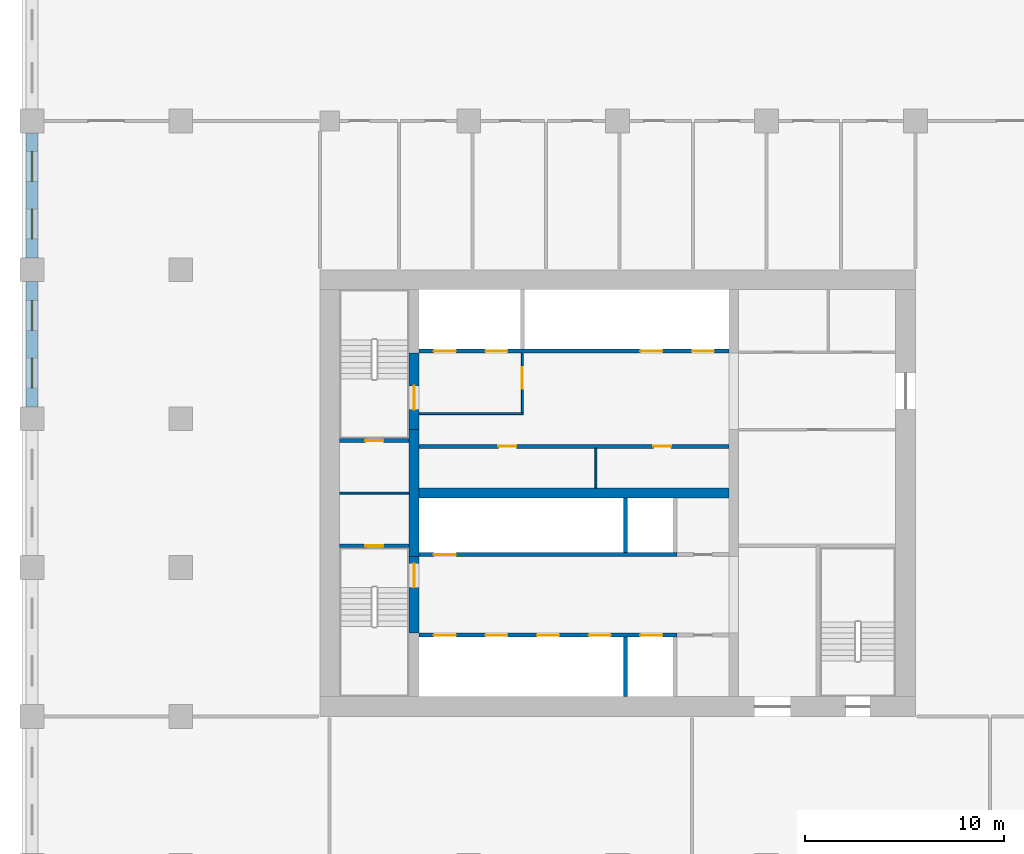
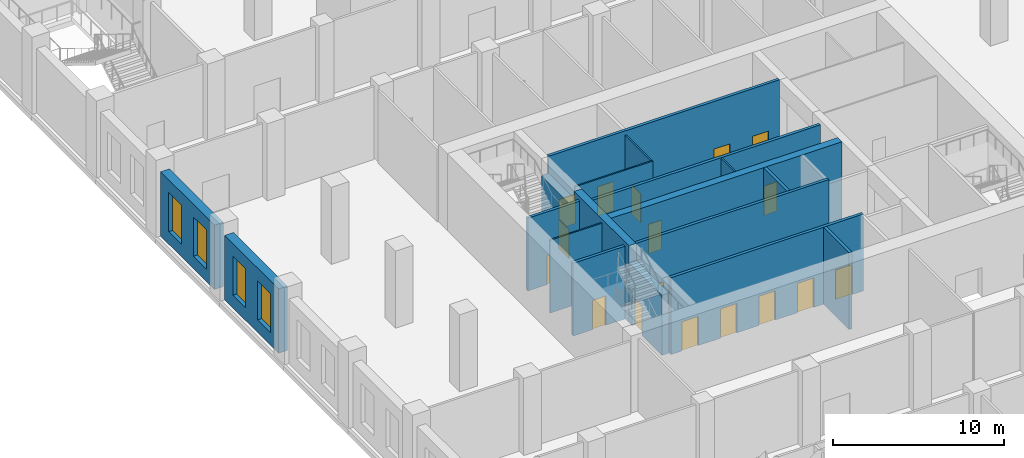
# One storey, part 8 of 35: 18 walls, 17 doors, 4 windows, 21 openings.
"""IFC4 building model written with IfcOpenShell, lengths in metres."""

import ifcopenshell
import ifcopenshell.guid

model = None  # the IFC model being written
_history = None  # IfcOwnerHistory: only IFC2X3 demands one
_inside = {}  # id of a spatial element -> (the spatial element, [elements in it])
_under = {}  # id of a project, library or spatial element -> (it, [spatial elements below it])
_declared = {}  # id of a project -> (the project, [libraries it declares])
_typed = {}  # id of a type object -> (the type object, [elements of that type])
_made_of = {}  # id of a material, layer set ... -> (it, [elements and type objects made of it])


def new_model(schema):
    """Start an empty IFC model of exactly this schema.

    Asked for "IFC4X3", IfcOpenShell would pick the latest addendum, in which some entities
    have other attributes; the version numbers below select the first issue.
    IFC2X3 requires an IfcOwnerHistory on every rooted entity: one is made here for all.
    """
    global model, _history
    if schema == "IFC4X3":
        model = ifcopenshell.file(schema_version=(4, 3, 0, 0))
    else:
        model = ifcopenshell.file(schema=schema)
    _inside.clear()
    _under.clear()
    _declared.clear()
    _typed.clear()
    _made_of.clear()
    _history = None
    if model.schema == "IFC2X3":
        org = make("IfcOrganization", Name="unknown")
        user = make(
            "IfcPersonAndOrganization",
            ThePerson=make("IfcPerson", FamilyName="unknown"),
            TheOrganization=org,
        )
        app = make(
            "IfcApplication",
            ApplicationDeveloper=org,
            Version="unknown",
            ApplicationFullName="unknown",
            ApplicationIdentifier="unknown",
        )
        _history = make(
            "IfcOwnerHistory",
            OwningUser=user,
            OwningApplication=app,
            ChangeAction="ADDED",
            CreationDate=0,
        )
    return model


def make(cls, **values):
    """One entity of the class cls with the attributes given. An attribute that is None is left unset."""
    return model.create_entity(
        cls, **{name: value for name, value in values.items() if value is not None}
    )


def rooted(cls, **values):
    """An entity with a GlobalId (a new one), such as an element, a storey or a relation."""
    return make(cls, GlobalId=ifcopenshell.guid.new(), OwnerHistory=_history, **values)


def si_unit(unit_type, name, prefix=None):
    """IfcSIUnit, for example si_unit("LENGTHUNIT", "METRE", prefix="MILLI")."""
    return make("IfcSIUnit", UnitType=unit_type, Prefix=prefix, Name=name)


def assignment(units):
    """IfcUnitAssignment: the units of a project."""
    return None if units is None else make("IfcUnitAssignment", Units=units)


def point(xyz):
    """IfcCartesianPoint."""
    return None if xyz is None else make("IfcCartesianPoint", Coordinates=xyz)


def direction(xyz):
    """IfcDirection."""
    return None if xyz is None else make("IfcDirection", DirectionRatios=xyz)


def frame(location, z_axis=None, x_axis=None):
    """IfcAxis2Placement3D, a coordinate frame: its origin and axes. An axis left out is left unset."""
    return make(
        "IfcAxis2Placement3D",
        Location=point(location),
        Axis=direction(z_axis),
        RefDirection=direction(x_axis),
    )


def frame_2d(location, x_axis=None):
    """IfcAxis2Placement2D, a coordinate frame in the plane: its origin and x axis."""
    return make(
        "IfcAxis2Placement2D", Location=point(location), RefDirection=direction(x_axis)
    )


def origin():
    """The frame at (0, 0, 0) with its axes left unset."""
    return frame((0.0, 0.0, 0.0))


def place(relative_to, where):
    """IfcLocalPlacement: puts the frame where relative to a parent placement (None: the world)."""
    return make(
        "IfcLocalPlacement", PlacementRelTo=relative_to, RelativePlacement=where
    )


def context(
    kind, dimensions, precision=None, world=None, true_north=None, identifier=None
):
    """IfcGeometricRepresentationContext, for example the 3D "Model" context."""
    return make(
        "IfcGeometricRepresentationContext",
        ContextIdentifier=identifier,
        ContextType=kind,
        CoordinateSpaceDimension=dimensions,
        Precision=precision,
        WorldCoordinateSystem=world,
        TrueNorth=true_north,
    )


def subcontext(parent, identifier, kind, view, scale=None):
    """IfcGeometricRepresentationSubContext, for example "Body" below "Model"."""
    return make(
        "IfcGeometricRepresentationSubContext",
        ContextIdentifier=identifier,
        ContextType=kind,
        ParentContext=parent,
        TargetScale=scale,
        TargetView=view,
    )


def project(units=None, contexts=None):
    """IfcProject with its units and contexts."""
    return rooted(
        "IfcProject",
        Name="project",
        RepresentationContexts=contexts,
        UnitsInContext=assignment(units),
    )


def spatial(cls, under=None, at=None, **own):
    """A site, building, storey or space (cls), placed at a placement, below another one or the project."""
    s = rooted(cls, ObjectPlacement=at, **own)
    if under is not None:
        _under.setdefault(under.id(), (under, []))[1].append(s)
    return s


def profile(cls, at=None, kind="AREA", **sizes):
    """A parametric profile (cls). Its sizes go by their IFC names, for example OverallWidth=200.0."""
    return make(cls, ProfileType=kind, Position=at, **sizes)


def rectangle(**sizes):
    """IfcRectangleProfileDef."""
    return profile("IfcRectangleProfileDef", **sizes)


def extrude(swept, where, along, depth):
    """IfcExtrudedAreaSolid: the profile swept, set in the frame where, extruded along a direction by depth."""
    return make(
        "IfcExtrudedAreaSolid",
        SweptArea=swept,
        Position=where,
        ExtrudedDirection=direction(along),
        Depth=depth,
    )


def shape(context_of_items, identifier, shape_type, items):
    """IfcShapeRepresentation: the items that make up one representation, for example the "Body"."""
    return make(
        "IfcShapeRepresentation",
        ContextOfItems=context_of_items,
        RepresentationIdentifier=identifier,
        RepresentationType=shape_type,
        Items=items,
    )


def material(Name=None, Category=None):
    """IfcMaterial."""
    return make("IfcMaterial", Name=Name, Category=Category)


def layer(
    of_material, thickness, ventilated=None, Name=None, Category=None, Priority=None
):
    """IfcMaterialLayer: one layer of a wall or slab, of a material (None: an air gap)."""
    return make(
        "IfcMaterialLayer",
        Material=of_material,
        LayerThickness=thickness,
        IsVentilated=ventilated,
        Name=Name,
        Category=Category,
        Priority=Priority,
    )


def layer_set(layers, Name=None):
    """IfcMaterialLayerSet."""
    return make("IfcMaterialLayerSet", MaterialLayers=layers, LayerSetName=Name)


def made_of(thing, what):
    """Note that an element or type object is made of a material, layer set ...; save() writes the relation."""
    if what is not None:
        _made_of.setdefault(what.id(), (what, []))[1].append(thing)
    return thing


def type_object(cls, material=None, **own):
    """A type object (cls), such as IfcWallType, which elements share."""
    return made_of(rooted(cls, **own), material)


def element(
    cls,
    number,
    at=None,
    inside=None,
    cuts=None,
    type_object=None,
    material=None,
    context=None,
    identifier="Body",
    shape_type=None,
    held_by="IfcProductDefinitionShape",
    body=None,
    shapes=None,
    **own,
):
    """One element of the class cls, such as IfcWall. Its Tag is "e" and its number.

    at: its placement. inside: the storey or other place that contains it. cuts: it is an
    opening in that element (IfcRelVoidsElement). A single representation is given by context,
    identifier, shape_type and body (its items); several are given by shapes. held_by: the class
    of the entity that holds the representations. save() writes the other relations.
    """
    e = rooted(cls, Tag="e%d" % number, ObjectPlacement=at, **own)
    if body is not None:
        shapes = [shape(context, identifier, shape_type, body)]
    if shapes is not None:
        e.Representation = make(held_by, Representations=shapes)
    if inside is not None:
        _inside.setdefault(inside.id(), (inside, []))[1].append(e)
    if cuts is not None:
        rooted(
            "IfcRelVoidsElement", RelatingBuildingElement=cuts, RelatedOpeningElement=e
        )
    if type_object is not None:
        _typed.setdefault(type_object.id(), (type_object, []))[1].append(e)
    return made_of(e, material)


def fill(opening, filler):
    """IfcRelFillsElement: the door or window that sits in an opening."""
    return rooted(
        "IfcRelFillsElement",
        RelatingOpeningElement=opening,
        RelatedBuildingElement=filler,
    )


def aggregate(whole, parts):
    """IfcRelAggregates: a whole, such as a stair, and the parts it consists of."""
    return rooted("IfcRelAggregates", RelatingObject=whole, RelatedObjects=parts)


def save(model, path):
    """Write the relations noted so far, then the file.

    IfcRelAggregates (storeys below a building ...), IfcRelContainedInSpatialStructure (elements
    in a storey), IfcRelDefinesByType, IfcRelAssociatesMaterial and IfcRelDeclares: one each for
    every whole, place, type object, material and project.
    """
    for whole, parts in _under.values():
        aggregate(whole, parts)
    for where, things in _inside.values():
        rooted(
            "IfcRelContainedInSpatialStructure",
            RelatedElements=things,
            RelatingStructure=where,
        )
    for kind, things in _typed.values():
        rooted("IfcRelDefinesByType", RelatedObjects=things, RelatingType=kind)
    for what, things in _made_of.values():
        rooted("IfcRelAssociatesMaterial", RelatedObjects=things, RelatingMaterial=what)
    for by, libraries in _declared.values():
        rooted("IfcRelDeclares", RelatingContext=by, RelatedDefinitions=libraries)
    model.write(path)


model = new_model("IFC4")

# Units and contexts
model_context = context("Model", 3, precision=1e-05, world=origin(), true_north=direction((0.0, 1.0)))
body_context = subcontext(model_context, "Body", "Model", "MODEL_VIEW")
ifc_project = project(units=[si_unit("LENGTHUNIT", "METRE"), si_unit("AREAUNIT", "SQUARE_METRE"), si_unit("VOLUMEUNIT", "CUBIC_METRE"), si_unit("PLANEANGLEUNIT", "RADIAN"), si_unit("MASSUNIT", "GRAM", prefix="KILO")], contexts=[model_context])

# Site, building, storey
site_placement = place(None, origin())
site = spatial("IfcSite", under=ifc_project, at=site_placement, CompositionType="ELEMENT")
building_placement = place(site_placement, origin())
building = spatial("IfcBuilding", under=site, at=building_placement, Name="Tamorin Gate", CompositionType="ELEMENT")
storey_placement = place(building_placement, frame((0.0, 0.0, 8.0)))
storey = spatial("IfcBuildingStorey", under=building, at=storey_placement, Name="L01", CompositionType="ELEMENT", Elevation=8.0)

# Wall, openings, doors
ifc_material_1 = material(Name="Concrete C32/40", Category="concrete")
ifc_layer_1 = layer(ifc_material_1, 0.199951171875)
ifc_layer_set_1 = layer_set([ifc_layer_1], Name="Lift lobby face wall 200 EI 120")
wall_type_1 = type_object("IfcWallType", Name="Lift lobby face wall 200 EI 120", PredefinedType="SOLIDWALL", material=ifc_layer_set_1)
wall_1_placement = place(storey_placement, frame((35.0, 64.10009765625, 0.0), z_axis=(0.0, 0.0, 1.0), x_axis=(1.0, 0.0, 0.0)))
wall_1 = element("IfcWall", 1, at=wall_1_placement, inside=storey, type_object=wall_type_1, Name="Lift lobby face wall", PredefinedType="SOLIDWALL", context=body_context, shape_type="SweptSolid", body=[
    extrude(rectangle(XDim=13.0, YDim=0.199951171875, at=frame_2d((6.5, 0.0))), origin(), (0.0, 0.0, 1.0), 5.5),
])
opening_1_placement = place(wall_1_placement, frame((0.75, 0.0, 0.0)))
opening_1 = element("IfcOpeningElement", 2, at=opening_1_placement, cuts=wall_1, Name="Opening LD1", PredefinedType="OPENING", context=body_context, shape_type="SweptSolid", body=[
    extrude(rectangle(XDim=1.10009765625, YDim=2.10009765625, at=frame_2d((0.550048828125, 1.050048828125))), frame((0.0, 0.10986328125, 0.0), z_axis=(0.0, -1.0, 0.0), x_axis=(1.0, 0.0, 0.0)), (0.0, 0.0, 1.0), 0.219970703125),
])
opening_2_placement = place(wall_1_placement, frame((3.35009765625, 0.0, 0.0)))
opening_2 = element("IfcOpeningElement", 3, at=opening_2_placement, cuts=wall_1, Name="Opening LD2", PredefinedType="OPENING", context=body_context, shape_type="SweptSolid", body=[
    extrude(rectangle(XDim=1.10009765625, YDim=2.10009765625, at=frame_2d((0.550048828125, 1.050048828125))), frame((0.0, 0.10986328125, 0.0), z_axis=(0.0, -1.0, 0.0), x_axis=(1.0, 0.0, 0.0)), (0.0, 0.0, 1.0), 0.219970703125),
])
opening_3_placement = place(wall_1_placement, frame((5.949951171875, 0.0, 0.0)))
opening_3 = element("IfcOpeningElement", 4, at=opening_3_placement, cuts=wall_1, Name="Opening LD3", PredefinedType="OPENING", context=body_context, shape_type="SweptSolid", body=[
    extrude(rectangle(XDim=1.10009765625, YDim=2.10009765625, at=frame_2d((0.550048828125, 1.050048828125))), frame((0.0, 0.10986328125, 0.0), z_axis=(0.0, -1.0, 0.0), x_axis=(1.0, 0.0, 0.0)), (0.0, 0.0, 1.0), 0.219970703125),
])
opening_4_placement = place(wall_1_placement, frame((8.550048828125, 0.0, 0.0)))
opening_4 = element("IfcOpeningElement", 5, at=opening_4_placement, cuts=wall_1, Name="Opening LD4", PredefinedType="OPENING", context=body_context, shape_type="SweptSolid", body=[
    extrude(rectangle(XDim=1.10009765625, YDim=2.10009765625, at=frame_2d((0.550048828125, 1.050048828125))), frame((0.0, 0.10986328125, 0.0), z_axis=(0.0, -1.0, 0.0), x_axis=(1.0, 0.0, 0.0)), (0.0, 0.0, 1.0), 0.219970703125),
])
opening_5_placement = place(wall_1_placement, frame((11.14990234375, 0.0, 0.0)))
opening_5 = element("IfcOpeningElement", 6, at=opening_5_placement, cuts=wall_1, Name="Opening LD5", PredefinedType="OPENING", context=body_context, shape_type="SweptSolid", body=[
    extrude(rectangle(XDim=1.10009765625, YDim=2.10009765625, at=frame_2d((0.550048828125, 1.050048828125))), frame((0.0, 0.10986328125, 0.0), z_axis=(0.0, -1.0, 0.0), x_axis=(1.0, 0.0, 0.0)), (0.0, 0.0, 1.0), 0.219970703125),
])
ifc_material_2 = material(Name="Stainless steel sliding door", Category="steel")
door_type_1 = type_object("IfcDoorType", Name="Lift landing door 1100 x 2100 E 90", OperationType="DOUBLE_DOOR_SLIDING", PredefinedType="DOOR", material=ifc_material_2)
door_1_placement = place(opening_1_placement, origin())
door_1 = element("IfcDoor", 7, at=door_1_placement, inside=storey, type_object=door_type_1, Name="LR1 landing door", OperationType="DOUBLE_DOOR_SLIDING", OverallHeight=2.10009765625, OverallWidth=1.10009765625, PredefinedType="DOOR", context=body_context, shape_type="SweptSolid", body=[
    extrude(rectangle(XDim=1.10009765625, YDim=2.10009765625, at=frame_2d((0.550048828125, 1.050048828125))), frame((0.0, 0.02490234375, 0.0), z_axis=(0.0, -1.0, 0.0), x_axis=(1.0, 0.0, 0.0)), (0.0, 0.0, 1.0), 0.050048828125),
])
fill(opening_1, door_1)
door_2_placement = place(opening_2_placement, origin())
door_2 = element("IfcDoor", 8, at=door_2_placement, inside=storey, type_object=door_type_1, Name="LR2 landing door", OperationType="DOUBLE_DOOR_SLIDING", OverallHeight=2.10009765625, OverallWidth=1.10009765625, PredefinedType="DOOR", context=body_context, shape_type="SweptSolid", body=[
    extrude(rectangle(XDim=1.10009765625, YDim=2.10009765625, at=frame_2d((0.550048828125, 1.050048828125))), frame((0.0, 0.02490234375, 0.0), z_axis=(0.0, -1.0, 0.0), x_axis=(1.0, 0.0, 0.0)), (0.0, 0.0, 1.0), 0.050048828125),
])
fill(opening_2, door_2)
door_3_placement = place(opening_3_placement, origin())
door_3 = element("IfcDoor", 9, at=door_3_placement, inside=storey, type_object=door_type_1, Name="LR3 landing door", OperationType="DOUBLE_DOOR_SLIDING", OverallHeight=2.10009765625, OverallWidth=1.10009765625, PredefinedType="DOOR", context=body_context, shape_type="SweptSolid", body=[
    extrude(rectangle(XDim=1.10009765625, YDim=2.10009765625, at=frame_2d((0.550048828125, 1.050048828125))), frame((0.0, 0.02490234375, 0.0), z_axis=(0.0, -1.0, 0.0), x_axis=(1.0, 0.0, 0.0)), (0.0, 0.0, 1.0), 0.050048828125),
])
fill(opening_3, door_3)
door_4_placement = place(opening_4_placement, origin())
door_4 = element("IfcDoor", 10, at=door_4_placement, inside=storey, type_object=door_type_1, Name="LR4 landing door", OperationType="DOUBLE_DOOR_SLIDING", OverallHeight=2.10009765625, OverallWidth=1.10009765625, PredefinedType="DOOR", context=body_context, shape_type="SweptSolid", body=[
    extrude(rectangle(XDim=1.10009765625, YDim=2.10009765625, at=frame_2d((0.550048828125, 1.050048828125))), frame((0.0, 0.02490234375, 0.0), z_axis=(0.0, -1.0, 0.0), x_axis=(1.0, 0.0, 0.0)), (0.0, 0.0, 1.0), 0.050048828125),
])
fill(opening_4, door_4)
door_5_placement = place(opening_5_placement, origin())
door_5 = element("IfcDoor", 11, at=door_5_placement, inside=storey, type_object=door_type_1, Name="LR5 landing door", OperationType="DOUBLE_DOOR_SLIDING", OverallHeight=2.10009765625, OverallWidth=1.10009765625, PredefinedType="DOOR", context=body_context, shape_type="SweptSolid", body=[
    extrude(rectangle(XDim=1.10009765625, YDim=2.10009765625, at=frame_2d((0.550048828125, 1.050048828125))), frame((0.0, 0.02490234375, 0.0), z_axis=(0.0, -1.0, 0.0), x_axis=(1.0, 0.0, 0.0)), (0.0, 0.0, 1.0), 0.050048828125),
])
fill(opening_5, door_5)

# Wall, opening, door
wall_2_placement = place(storey_placement, frame((35.0, 68.14990234375, 0.0), z_axis=(0.0, 0.0, 1.0), x_axis=(1.0, 0.0, 0.0)))
wall_2 = element("IfcWall", 12, at=wall_2_placement, inside=storey, type_object=wall_type_1, Name="Lift lobby face wall", PredefinedType="SOLIDWALL", context=body_context, shape_type="SweptSolid", body=[
    extrude(rectangle(XDim=13.0, YDim=0.199951171875, at=frame_2d((6.5, 0.0))), origin(), (0.0, 0.0, 1.0), 5.5),
])
opening_6_placement = place(wall_2_placement, frame((0.75, 0.0, 0.0)))
opening_6 = element("IfcOpeningElement", 13, at=opening_6_placement, cuts=wall_2, Name="Opening LD6", PredefinedType="OPENING", context=body_context, shape_type="SweptSolid", body=[
    extrude(rectangle(XDim=1.10009765625, YDim=2.10009765625, at=frame_2d((0.550048828125, 1.050048828125))), frame((0.0, 0.10986328125, 0.0), z_axis=(0.0, -1.0, 0.0), x_axis=(1.0, 0.0, 0.0)), (0.0, 0.0, 1.0), 0.219970703125),
])
door_6_placement = place(opening_6_placement, origin())
door_6 = element("IfcDoor", 14, at=door_6_placement, inside=storey, type_object=door_type_1, Name="LR6 landing door", OperationType="DOUBLE_DOOR_SLIDING", OverallHeight=2.10009765625, OverallWidth=1.10009765625, PredefinedType="DOOR", context=body_context, shape_type="SweptSolid", body=[
    extrude(rectangle(XDim=1.10009765625, YDim=2.10009765625, at=frame_2d((0.550048828125, 1.050048828125))), frame((0.0, 0.02490234375, 0.0), z_axis=(0.0, -1.0, 0.0), x_axis=(1.0, 0.0, 0.0)), (0.0, 0.0, 1.0), 0.050048828125),
])
fill(opening_6, door_6)

# Wall, openings, doors
wall_3_placement = place(storey_placement, frame((35.0, 78.39990234375, 0.0), z_axis=(0.0, 0.0, 1.0), x_axis=(1.0, 0.0, 0.0)))
wall_3 = element("IfcWall", 15, at=wall_3_placement, inside=storey, type_object=wall_type_1, Name="Lift lobby face wall", PredefinedType="SOLIDWALL", context=body_context, shape_type="SweptSolid", body=[
    extrude(rectangle(XDim=15.60009765625, YDim=0.199951171875, at=frame_2d((7.800048828125, 0.0))), origin(), (0.0, 0.0, 1.0), 5.5),
])
opening_7_placement = place(wall_3_placement, frame((0.75, 0.0, 0.0)))
opening_7 = element("IfcOpeningElement", 16, at=opening_7_placement, cuts=wall_3, Name="Opening LD17", PredefinedType="OPENING", context=body_context, shape_type="SweptSolid", body=[
    extrude(rectangle(XDim=1.10009765625, YDim=2.10009765625, at=frame_2d((0.550048828125, 1.050048828125))), frame((0.0, 0.10986328125, 0.0), z_axis=(0.0, -1.0, 0.0), x_axis=(1.0, 0.0, 0.0)), (0.0, 0.0, 1.0), 0.219970703125),
])
opening_8_placement = place(wall_3_placement, frame((3.35009765625, 0.0, 0.0)))
opening_8 = element("IfcOpeningElement", 17, at=opening_8_placement, cuts=wall_3, Name="Opening LD18", PredefinedType="OPENING", context=body_context, shape_type="SweptSolid", body=[
    extrude(rectangle(XDim=1.10009765625, YDim=2.10009765625, at=frame_2d((0.550048828125, 1.050048828125))), frame((0.0, 0.10986328125, 0.0), z_axis=(0.0, -1.0, 0.0), x_axis=(1.0, 0.0, 0.0)), (0.0, 0.0, 1.0), 0.219970703125),
])
opening_9_placement = place(wall_3_placement, frame((11.14990234375, 0.0, 0.0)))
opening_9 = element("IfcOpeningElement", 18, at=opening_9_placement, cuts=wall_3, Name="Opening LD21", PredefinedType="OPENING", context=body_context, shape_type="SweptSolid", body=[
    extrude(rectangle(XDim=1.10009765625, YDim=2.10009765625, at=frame_2d((0.550048828125, 1.050048828125))), frame((0.0, 0.10986328125, 0.0), z_axis=(0.0, -1.0, 0.0), x_axis=(1.0, 0.0, 0.0)), (0.0, 0.0, 1.0), 0.219970703125),
])
opening_10_placement = place(wall_3_placement, frame((13.75, 0.0, 0.0)))
opening_10 = element("IfcOpeningElement", 19, at=opening_10_placement, cuts=wall_3, Name="Opening LD22", PredefinedType="OPENING", context=body_context, shape_type="SweptSolid", body=[
    extrude(rectangle(XDim=1.10009765625, YDim=2.10009765625, at=frame_2d((0.550048828125, 1.050048828125))), frame((0.0, 0.10986328125, 0.0), z_axis=(0.0, -1.0, 0.0), x_axis=(1.0, 0.0, 0.0)), (0.0, 0.0, 1.0), 0.219970703125),
])
door_7_placement = place(opening_7_placement, origin())
door_7 = element("IfcDoor", 20, at=door_7_placement, inside=storey, type_object=door_type_1, Name="FF1 landing door", OperationType="DOUBLE_DOOR_SLIDING", OverallHeight=2.10009765625, OverallWidth=1.10009765625, PredefinedType="DOOR", context=body_context, shape_type="SweptSolid", body=[
    extrude(rectangle(XDim=1.10009765625, YDim=2.10009765625, at=frame_2d((0.550048828125, 1.050048828125))), frame((0.0, 0.02490234375, 0.0), z_axis=(0.0, -1.0, 0.0), x_axis=(1.0, 0.0, 0.0)), (0.0, 0.0, 1.0), 0.050048828125),
])
fill(opening_7, door_7)
door_8_placement = place(opening_8_placement, origin())
door_8 = element("IfcDoor", 21, at=door_8_placement, inside=storey, type_object=door_type_1, Name="FF2 landing door", OperationType="DOUBLE_DOOR_SLIDING", OverallHeight=2.10009765625, OverallWidth=1.10009765625, PredefinedType="DOOR", context=body_context, shape_type="SweptSolid", body=[
    extrude(rectangle(XDim=1.10009765625, YDim=2.10009765625, at=frame_2d((0.550048828125, 1.050048828125))), frame((0.0, 0.02490234375, 0.0), z_axis=(0.0, -1.0, 0.0), x_axis=(1.0, 0.0, 0.0)), (0.0, 0.0, 1.0), 0.050048828125),
])
fill(opening_8, door_8)
door_9_placement = place(opening_9_placement, origin())
door_9 = element("IfcDoor", 22, at=door_9_placement, inside=storey, type_object=door_type_1, Name="SV1 landing door", OperationType="DOUBLE_DOOR_SLIDING", OverallHeight=2.10009765625, OverallWidth=1.10009765625, PredefinedType="DOOR", context=body_context, shape_type="SweptSolid", body=[
    extrude(rectangle(XDim=1.10009765625, YDim=2.10009765625, at=frame_2d((0.550048828125, 1.050048828125))), frame((0.0, 0.02490234375, 0.0), z_axis=(0.0, -1.0, 0.0), x_axis=(1.0, 0.0, 0.0)), (0.0, 0.0, 1.0), 0.050048828125),
])
fill(opening_9, door_9)
door_10_placement = place(opening_10_placement, origin())
door_10 = element("IfcDoor", 23, at=door_10_placement, inside=storey, type_object=door_type_1, Name="SV2 landing door", OperationType="DOUBLE_DOOR_SLIDING", OverallHeight=2.10009765625, OverallWidth=1.10009765625, PredefinedType="DOOR", context=body_context, shape_type="SweptSolid", body=[
    extrude(rectangle(XDim=1.10009765625, YDim=2.10009765625, at=frame_2d((0.550048828125, 1.050048828125))), frame((0.0, 0.02490234375, 0.0), z_axis=(0.0, -1.0, 0.0), x_axis=(1.0, 0.0, 0.0)), (0.0, 0.0, 1.0), 0.050048828125),
])
fill(opening_10, door_10)

# Walls
ifc_layer_2 = layer(ifc_material_1, 0.199951171875)
ifc_layer_set_2 = layer_set([ifc_layer_2], Name="Lift shaft wall 200 EI 120")
wall_type_2 = type_object("IfcWallType", Name="Lift shaft wall 200 EI 120", PredefinedType="SOLIDWALL", material=ifc_layer_set_2)
wall_4_placement = place(storey_placement, frame((45.39990234375, 61.0, 0.0), z_axis=(0.0, 0.0, 1.0), x_axis=(0.0, 1.0, 0.0)))
element("IfcWall", 24, at=wall_4_placement, inside=storey, type_object=wall_type_2, Name="Lift shaft wall", PredefinedType="SOLIDWALL", context=body_context, shape_type="SweptSolid", body=[
    extrude(rectangle(XDim=3.0, YDim=0.199951171875, at=frame_2d((1.5, 0.0))), origin(), (0.0, 0.0, 1.0), 5.5),
])
wall_5_placement = place(storey_placement, frame((45.39990234375, 68.25, 0.0), z_axis=(0.0, 0.0, 1.0), x_axis=(0.0, 1.0, 0.0)))
element("IfcWall", 25, at=wall_5_placement, inside=storey, type_object=wall_type_2, Name="Lift shaft wall", PredefinedType="SOLIDWALL", context=body_context, shape_type="SweptSolid", body=[
    extrude(rectangle(XDim=2.75, YDim=0.199951171875, at=frame_2d((1.375, 0.0))), origin(), (0.0, 0.0, 1.0), 5.5),
])
ifc_material_3 = material(Name="Fire-rated gypsum board partition")
ifc_layer_3 = layer(ifc_material_3, 0.10009765625)
ifc_layer_set_3 = layer_set([ifc_layer_3], Name="Lobby wall 100 EI 60")
wall_type_3 = type_object("IfcWallType", Name="Lobby wall 100 EI 60", PredefinedType="PARTITIONING", material=ifc_layer_set_3)
wall_6_placement = place(storey_placement, frame((35.0, 75.25, 0.0), z_axis=(0.0, 0.0, 1.0), x_axis=(1.0, 0.0, 0.0)))
element("IfcWall", 26, at=wall_6_placement, inside=storey, type_object=wall_type_3, Name="Firefighting lobby wall", PredefinedType="PARTITIONING", context=body_context, shape_type="SweptSolid", body=[
    extrude(rectangle(XDim=5.25, YDim=0.10009765625, at=frame_2d((2.625, 0.0))), origin(), (0.0, 0.0, 1.0), 5.199951171875),
])

# Wall, opening, door
wall_7_placement = place(storey_placement, frame((40.199951171875, 75.300048828125, 0.0), z_axis=(0.0, 0.0, 1.0), x_axis=(0.0, 1.0, 0.0)))
wall_7 = element("IfcWall", 27, at=wall_7_placement, inside=storey, type_object=wall_type_3, Name="Firefighting lobby wall", PredefinedType="PARTITIONING", context=body_context, shape_type="SweptSolid", body=[
    extrude(rectangle(XDim=3.0, YDim=0.10009765625, at=frame_2d((1.5, 0.0))), origin(), (0.0, 0.0, 1.0), 5.199951171875),
])
opening_11_placement = place(wall_7_placement, frame((1.199951171875, 0.0, 0.0)))
opening_11 = element("IfcOpeningElement", 28, at=opening_11_placement, cuts=wall_7, Name="Opening DF1", PredefinedType="OPENING", context=body_context, shape_type="SweptSolid", body=[
    extrude(rectangle(XDim=1.10009765625, YDim=2.10009765625, at=frame_2d((0.550048828125, 1.050048828125))), frame((0.0, 0.06005859375, 0.0), z_axis=(0.0, -1.0, 0.0), x_axis=(1.0, 0.0, 0.0)), (0.0, 0.0, 1.0), 0.1201171875),
])
ifc_material_4 = material(Name="Steel fire door", Category="steel")
door_type_2 = type_object("IfcDoorType", Name="Firefighting lobby door 1100 x 2100 EI 90", OperationType="SINGLE_SWING_LEFT", PredefinedType="DOOR", material=ifc_material_4)
door_11_placement = place(opening_11_placement, origin())
door_11 = element("IfcDoor", 29, at=door_11_placement, inside=storey, type_object=door_type_2, Name="Firefighting lobby door", OperationType="SINGLE_SWING_LEFT", OverallHeight=2.10009765625, OverallWidth=1.10009765625, PredefinedType="DOOR", context=body_context, shape_type="SweptSolid", body=[
    extrude(rectangle(XDim=1.10009765625, YDim=2.10009765625, at=frame_2d((0.550048828125, 1.050048828125))), frame((0.0, 0.02490234375, 0.0), z_axis=(0.0, -1.0, 0.0), x_axis=(1.0, 0.0, 0.0)), (0.0, 0.0, 1.0), 0.050048828125),
])
fill(opening_11, door_11)

# Wall, openings, windows
ifc_material_5 = material(Name="Precast concrete C40/50", Category="concrete")
ifc_layer_4 = layer(ifc_material_5, 0.60009765625)
ifc_layer_set_4 = layer_set([ifc_layer_4], Name="Precast concrete C40/50")
wall_type_4 = type_object("IfcWallType", Name="Precast plinth wall 600", PredefinedType="PARTITIONING", material=ifc_layer_set_4)
wall_8_placement = place(storey_placement, frame((15.5, 75.60009765625, 0.0), z_axis=(0.0, 0.0, 1.0), x_axis=(0.0, 1.0, 0.0)))
wall_8 = element("IfcWall", 30, at=wall_8_placement, inside=storey, type_object=wall_type_4, Name="Precast plinth wall 600 L01", PredefinedType="PARTITIONING", context=body_context, shape_type="SweptSolid", body=[
    extrude(rectangle(XDim=6.2998046875, YDim=0.60009765625, at=frame_2d((3.14990234375, 0.0))), origin(), (0.0, 0.0, 1.0), 4.60009765625),
])
opening_12_placement = place(wall_8_placement, frame((0.950927734375, 0.0, 0.89990234375)))
opening_12 = element("IfcOpeningElement", 31, at=opening_12_placement, cuts=wall_8, Name="Opening PWN5", PredefinedType="OPENING", context=body_context, shape_type="SweptSolid", body=[
    extrude(rectangle(XDim=1.5, YDim=2.800048828125, at=frame_2d((0.75, 1.39990234375))), frame((0.0, 0.31005859375, 0.0), z_axis=(0.0, -1.0, 0.0), x_axis=(1.0, 0.0, 0.0)), (0.0, 0.0, 1.0), 0.6201171875),
])
opening_13_placement = place(wall_8_placement, frame((3.84912109375, 0.0, 0.89990234375)))
opening_13 = element("IfcOpeningElement", 32, at=opening_13_placement, cuts=wall_8, Name="Opening PWN5", PredefinedType="OPENING", context=body_context, shape_type="SweptSolid", body=[
    extrude(rectangle(XDim=1.5, YDim=2.800048828125, at=frame_2d((0.75, 1.39990234375))), frame((0.0, 0.31005859375, 0.0), z_axis=(0.0, -1.0, 0.0), x_axis=(1.0, 0.0, 0.0)), (0.0, 0.0, 1.0), 0.6201171875),
])
ifc_material_6 = material(Name="Aluminium and glass", Category="aluminium")
window_type = type_object("IfcWindowType", Name="Plinth window 1500x2800", PartitioningType="DOUBLE_PANEL_VERTICAL", PredefinedType="WINDOW", material=ifc_material_6)
window_1_placement = place(opening_12_placement, origin())
window_1 = element("IfcWindow", 33, at=window_1_placement, inside=storey, type_object=window_type, Name="Plinth window 1500x2800", OverallHeight=2.800048828125, OverallWidth=1.5, PartitioningType="SINGLE_PANEL", PredefinedType="WINDOW", context=body_context, shape_type="SweptSolid", body=[
    extrude(rectangle(XDim=1.5, YDim=2.800048828125, at=frame_2d((0.75, 1.39990234375))), frame((0.0, 0.030029296875, 0.0), z_axis=(0.0, -1.0, 0.0), x_axis=(1.0, 0.0, 0.0)), (0.0, 0.0, 1.0), 0.06005859375),
])
fill(opening_12, window_1)
window_2_placement = place(opening_13_placement, origin())
window_2 = element("IfcWindow", 34, at=window_2_placement, inside=storey, type_object=window_type, Name="Plinth window 1500x2800", OverallHeight=2.800048828125, OverallWidth=1.5, PartitioningType="SINGLE_PANEL", PredefinedType="WINDOW", context=body_context, shape_type="SweptSolid", body=[
    extrude(rectangle(XDim=1.5, YDim=2.800048828125, at=frame_2d((0.75, 1.39990234375))), frame((0.0, 0.030029296875, 0.0), z_axis=(0.0, -1.0, 0.0), x_axis=(1.0, 0.0, 0.0)), (0.0, 0.0, 1.0), 0.06005859375),
])
fill(opening_13, window_2)

wall_9_placement = place(storey_placement, frame((15.5, 83.10009765625, 0.0), z_axis=(0.0, 0.0, 1.0), x_axis=(0.0, 1.0, 0.0)))
wall_9 = element("IfcWall", 35, at=wall_9_placement, inside=storey, type_object=wall_type_4, Name="Precast plinth wall 600 L01", PredefinedType="PARTITIONING", context=body_context, shape_type="SweptSolid", body=[
    extrude(rectangle(XDim=6.2998046875, YDim=0.60009765625, at=frame_2d((3.14990234375, 0.0))), origin(), (0.0, 0.0, 1.0), 4.60009765625),
])
opening_14_placement = place(wall_9_placement, frame((0.950927734375, 0.0, 0.89990234375)))
opening_14 = element("IfcOpeningElement", 36, at=opening_14_placement, cuts=wall_9, Name="Opening PWN5", PredefinedType="OPENING", context=body_context, shape_type="SweptSolid", body=[
    extrude(rectangle(XDim=1.5, YDim=2.800048828125, at=frame_2d((0.75, 1.39990234375))), frame((0.0, 0.31005859375, 0.0), z_axis=(0.0, -1.0, 0.0), x_axis=(1.0, 0.0, 0.0)), (0.0, 0.0, 1.0), 0.6201171875),
])
opening_15_placement = place(wall_9_placement, frame((3.84912109375, 0.0, 0.89990234375)))
opening_15 = element("IfcOpeningElement", 37, at=opening_15_placement, cuts=wall_9, Name="Opening PWN5", PredefinedType="OPENING", context=body_context, shape_type="SweptSolid", body=[
    extrude(rectangle(XDim=1.5, YDim=2.800048828125, at=frame_2d((0.75, 1.39990234375))), frame((0.0, 0.31005859375, 0.0), z_axis=(0.0, -1.0, 0.0), x_axis=(1.0, 0.0, 0.0)), (0.0, 0.0, 1.0), 0.6201171875),
])
window_3_placement = place(opening_14_placement, origin())
window_3 = element("IfcWindow", 38, at=window_3_placement, inside=storey, type_object=window_type, Name="Plinth window 1500x2800", OverallHeight=2.800048828125, OverallWidth=1.5, PartitioningType="SINGLE_PANEL", PredefinedType="WINDOW", context=body_context, shape_type="SweptSolid", body=[
    extrude(rectangle(XDim=1.5, YDim=2.800048828125, at=frame_2d((0.75, 1.39990234375))), frame((0.0, 0.030029296875, 0.0), z_axis=(0.0, -1.0, 0.0), x_axis=(1.0, 0.0, 0.0)), (0.0, 0.0, 1.0), 0.06005859375),
])
fill(opening_14, window_3)
window_4_placement = place(opening_15_placement, origin())
window_4 = element("IfcWindow", 39, at=window_4_placement, inside=storey, type_object=window_type, Name="Plinth window 1500x2800", OverallHeight=2.800048828125, OverallWidth=1.5, PartitioningType="SINGLE_PANEL", PredefinedType="WINDOW", context=body_context, shape_type="SweptSolid", body=[
    extrude(rectangle(XDim=1.5, YDim=2.800048828125, at=frame_2d((0.75, 1.39990234375))), frame((0.0, 0.030029296875, 0.0), z_axis=(0.0, -1.0, 0.0), x_axis=(1.0, 0.0, 0.0)), (0.0, 0.0, 1.0), 0.06005859375),
])
fill(opening_15, window_4)

# Walls
ifc_material_7 = material(Name="Concrete C80/95", Category="concrete")
ifc_layer_5 = layer(ifc_material_7, 0.5)
ifc_layer_set_5 = layer_set([ifc_layer_5], Name="RC core internal wall 500 C80/95")
wall_type_5 = type_object("IfcWallType", Name="RC core internal wall 500 C80/95", PredefinedType="SHEAR", material=ifc_layer_set_5)
wall_10_placement = place(storey_placement, frame((35.0, 71.25, 0.0), z_axis=(0.0, 0.0, 1.0), x_axis=(1.0, 0.0, 0.0)))
element("IfcWall", 40, at=wall_10_placement, inside=storey, type_object=wall_type_5, Name="Core spine wall L01", PredefinedType="SHEAR", context=body_context, shape_type="SweptSolid", body=[
    extrude(rectangle(XDim=15.60009765625, YDim=0.5, at=frame_2d((7.800048828125, 0.0))), origin(), (0.0, 0.0, 1.0), 5.5),
])
wall_11_placement = place(storey_placement, frame((34.75, 68.050048828125, 0.0), z_axis=(0.0, 0.0, 1.0), x_axis=(0.0, 1.0, 0.0)))
element("IfcWall", 41, at=wall_11_placement, inside=storey, type_object=wall_type_5, Name="Core cross wall L01", PredefinedType="SHEAR", context=body_context, shape_type="SweptSolid", body=[
    extrude(rectangle(XDim=6.39990234375, YDim=0.5, at=frame_2d((3.199951171875, 0.0))), origin(), (0.0, 0.0, 1.0), 5.5),
])
ifc_layer_6 = layer(ifc_material_3, 0.10009765625)
ifc_layer_set_6 = layer_set([ifc_layer_6], Name="Riser partition 100 EI 120")
wall_type_6 = type_object("IfcWallType", Name="Riser partition 100 EI 120", PredefinedType="PARTITIONING", material=ifc_layer_set_6)
wall_12_placement = place(storey_placement, frame((31.0, 71.25, 0.0), z_axis=(0.0, 0.0, 1.0), x_axis=(1.0, 0.0, 0.0)))
element("IfcWall", 42, at=wall_12_placement, inside=storey, type_object=wall_type_6, Name="Riser partition", PredefinedType="PARTITIONING", context=body_context, shape_type="SweptSolid", body=[
    extrude(rectangle(XDim=3.5, YDim=0.10009765625, at=frame_2d((1.75, 0.0))), origin(), (0.0, 0.0, 1.0), 5.199951171875),
])

# Wall, openings, doors
ifc_material_8 = material(Name="Gypsum board partition")
ifc_layer_7 = layer(ifc_material_8, 0.199951171875)
ifc_layer_set_7 = layer_set([ifc_layer_7], Name="Service room face wall 200 EI 60")
wall_type_7 = type_object("IfcWallType", Name="Service room face wall 200 EI 60", PredefinedType="PARTITIONING", material=ifc_layer_set_7)
wall_13_placement = place(storey_placement, frame((35.0, 73.60009765625, 0.0), z_axis=(0.0, 0.0, 1.0), x_axis=(1.0, 0.0, 0.0)))
wall_13 = element("IfcWall", 43, at=wall_13_placement, inside=storey, type_object=wall_type_7, Name="Service room face wall", PredefinedType="PARTITIONING", context=body_context, shape_type="SweptSolid", body=[
    extrude(rectangle(XDim=15.60009765625, YDim=0.199951171875, at=frame_2d((7.800048828125, 0.0))), origin(), (0.0, 0.0, 1.0), 5.199951171875),
])
opening_16_placement = place(wall_13_placement, frame((4.0, 0.0, 0.0)))
opening_16 = element("IfcOpeningElement", 44, at=opening_16_placement, cuts=wall_13, Name="Opening DK1", PredefinedType="OPENING", context=body_context, shape_type="SweptSolid", body=[
    extrude(rectangle(XDim=0.89990234375, YDim=2.10009765625, at=frame_2d((0.449951171875, 1.050048828125))), frame((0.0, 0.10986328125, 0.0), z_axis=(0.0, -1.0, 0.0), x_axis=(1.0, 0.0, 0.0)), (0.0, 0.0, 1.0), 0.219970703125),
])
opening_17_placement = place(wall_13_placement, frame((11.800048828125, 0.0, 0.0)))
opening_17 = element("IfcOpeningElement", 45, at=opening_17_placement, cuts=wall_13, Name="Opening DK1", PredefinedType="OPENING", context=body_context, shape_type="SweptSolid", body=[
    extrude(rectangle(XDim=0.89990234375, YDim=2.10009765625, at=frame_2d((0.449951171875, 1.050048828125))), frame((0.0, 0.10986328125, 0.0), z_axis=(0.0, -1.0, 0.0), x_axis=(1.0, 0.0, 0.0)), (0.0, 0.0, 1.0), 0.219970703125),
])
ifc_material_9 = material(Name="Timber fire door", Category="wood")
door_type_3 = type_object("IfcDoorType", Name="Service room door 900 x 2100 EI 60", OperationType="SINGLE_SWING_LEFT", PredefinedType="DOOR", material=ifc_material_9)
door_12_placement = place(opening_16_placement, origin())
door_12 = element("IfcDoor", 46, at=door_12_placement, inside=storey, type_object=door_type_3, Name="Door Staff WC", OperationType="SINGLE_SWING_LEFT", OverallHeight=2.10009765625, OverallWidth=0.89990234375, PredefinedType="DOOR", context=body_context, shape_type="SweptSolid", body=[
    extrude(rectangle(XDim=0.89990234375, YDim=2.10009765625, at=frame_2d((0.449951171875, 1.050048828125))), frame((0.0, 0.02490234375, 0.0), z_axis=(0.0, -1.0, 0.0), x_axis=(1.0, 0.0, 0.0)), (0.0, 0.0, 1.0), 0.050048828125),
])
fill(opening_16, door_12)
door_13_placement = place(opening_17_placement, origin())
door_13 = element("IfcDoor", 47, at=door_13_placement, inside=storey, type_object=door_type_3, Name="Door Pump room", OperationType="SINGLE_SWING_RIGHT", OverallHeight=2.10009765625, OverallWidth=0.89990234375, PredefinedType="DOOR", context=body_context, shape_type="SweptSolid", body=[
    extrude(rectangle(XDim=0.89990234375, YDim=2.10009765625, at=frame_2d((0.449951171875, 1.050048828125))), frame((0.0, 0.02490234375, 0.0), z_axis=(0.0, -1.0, 0.0), x_axis=(1.0, 0.0, 0.0)), (0.0, 0.0, 1.0), 0.050048828125),
])
fill(opening_17, door_13)

# Wall
ifc_layer_8 = layer(ifc_material_8, 0.10009765625)
ifc_layer_set_8 = layer_set([ifc_layer_8], Name="Service room partition 100 EI 60")
wall_type_8 = type_object("IfcWallType", Name="Service room partition 100 EI 60", PredefinedType="PARTITIONING", material=ifc_layer_set_8)
wall_14_placement = place(storey_placement, frame((43.89990234375, 71.5, 0.0), z_axis=(0.0, 0.0, 1.0), x_axis=(0.0, 1.0, 0.0)))
element("IfcWall", 48, at=wall_14_placement, inside=storey, type_object=wall_type_8, Name="Service room partition", PredefinedType="PARTITIONING", context=body_context, shape_type="SweptSolid", body=[
    extrude(rectangle(XDim=2.0, YDim=0.10009765625, at=frame_2d((1.0, 0.0))), origin(), (0.0, 0.0, 1.0), 5.199951171875),
])

# Wall, opening, door
ifc_material_10 = material(Name="Concrete C40/50", Category="concrete")
ifc_layer_9 = layer(ifc_material_10, 0.199951171875)
ifc_layer_set_9 = layer_set([ifc_layer_9], Name="Stair enclosure wall 200 EI 120 C40/50")
wall_type_9 = type_object("IfcWallType", Name="Stair enclosure wall 200 EI 120 C40/50", PredefinedType="SOLIDWALL", material=ifc_layer_set_9)
wall_15_placement = place(storey_placement, frame((31.0, 68.60009765625, 0.0), z_axis=(0.0, 0.0, 1.0), x_axis=(1.0, 0.0, 0.0)))
wall_15 = element("IfcWall", 49, at=wall_15_placement, inside=storey, type_object=wall_type_9, Name="Stair enclosure wall", PredefinedType="SOLIDWALL", context=body_context, shape_type="SweptSolid", body=[
    extrude(rectangle(XDim=3.5, YDim=0.199951171875, at=frame_2d((1.75, 0.0))), origin(), (0.0, 0.0, 1.0), 5.199951171875),
])
opening_18_placement = place(wall_15_placement, frame((1.300048828125, 0.0, 0.0)))
opening_18 = element("IfcOpeningElement", 50, at=opening_18_placement, cuts=wall_15, Name="Opening DR1", PredefinedType="OPENING", context=body_context, shape_type="SweptSolid", body=[
    extrude(rectangle(XDim=0.89990234375, YDim=2.10009765625, at=frame_2d((0.449951171875, 1.050048828125))), frame((0.0, 0.10986328125, 0.0), z_axis=(0.0, -1.0, 0.0), x_axis=(1.0, 0.0, 0.0)), (0.0, 0.0, 1.0), 0.219970703125),
])
door_type_4 = type_object("IfcDoorType", Name="Riser access door 900 x 2100 EI 120", OperationType="SINGLE_SWING_LEFT", PredefinedType="DOOR", material=ifc_material_4)
door_14_placement = place(opening_18_placement, origin())
door_14 = element("IfcDoor", 51, at=door_14_placement, inside=storey, type_object=door_type_4, Name="Electrical riser door", OperationType="SINGLE_SWING_LEFT", OverallHeight=2.10009765625, OverallWidth=0.89990234375, PredefinedType="DOOR", context=body_context, shape_type="SweptSolid", body=[
    extrude(rectangle(XDim=0.89990234375, YDim=2.10009765625, at=frame_2d((0.449951171875, 1.050048828125))), frame((0.0, 0.02490234375, 0.0), z_axis=(0.0, -1.0, 0.0), x_axis=(1.0, 0.0, 0.0)), (0.0, 0.0, 1.0), 0.050048828125),
])
fill(opening_18, door_14)

wall_16_placement = place(storey_placement, frame((31.0, 73.89990234375, 0.0), z_axis=(0.0, 0.0, 1.0), x_axis=(1.0, 0.0, 0.0)))
wall_16 = element("IfcWall", 52, at=wall_16_placement, inside=storey, type_object=wall_type_9, Name="Stair enclosure wall", PredefinedType="SOLIDWALL", context=body_context, shape_type="SweptSolid", body=[
    extrude(rectangle(XDim=3.5, YDim=0.199951171875, at=frame_2d((1.75, 0.0))), origin(), (0.0, 0.0, 1.0), 5.199951171875),
])
opening_19_placement = place(wall_16_placement, frame((1.300048828125, 0.0, 0.0)))
opening_19 = element("IfcOpeningElement", 53, at=opening_19_placement, cuts=wall_16, Name="Opening DR1", PredefinedType="OPENING", context=body_context, shape_type="SweptSolid", body=[
    extrude(rectangle(XDim=0.89990234375, YDim=2.10009765625, at=frame_2d((0.449951171875, 1.050048828125))), frame((0.0, 0.10986328125, 0.0), z_axis=(0.0, -1.0, 0.0), x_axis=(1.0, 0.0, 0.0)), (0.0, 0.0, 1.0), 0.219970703125),
])
door_15_placement = place(opening_19_placement, origin())
door_15 = element("IfcDoor", 54, at=door_15_placement, inside=storey, type_object=door_type_4, Name="Communications riser door", OperationType="SINGLE_SWING_RIGHT", OverallHeight=2.10009765625, OverallWidth=0.89990234375, PredefinedType="DOOR", context=body_context, shape_type="SweptSolid", body=[
    extrude(rectangle(XDim=0.89990234375, YDim=2.10009765625, at=frame_2d((0.449951171875, 1.050048828125))), frame((0.0, 0.02490234375, 0.0), z_axis=(0.0, -1.0, 0.0), x_axis=(1.0, 0.0, 0.0)), (0.0, 0.0, 1.0), 0.050048828125),
])
fill(opening_19, door_15)

ifc_layer_10 = layer(ifc_material_1, 0.5)
ifc_layer_set_10 = layer_set([ifc_layer_10], Name="Stair lobby infill wall 500 EI 120")
wall_type_10 = type_object("IfcWallType", Name="Stair lobby infill wall 500 EI 120", PredefinedType="SOLIDWALL", material=ifc_layer_set_10)
wall_17_placement = place(storey_placement, frame((34.75, 64.199951171875, 0.0), z_axis=(0.0, 0.0, 1.0), x_axis=(0.0, 1.0, 0.0)))
wall_17 = element("IfcWall", 55, at=wall_17_placement, inside=storey, type_object=wall_type_10, Name="Stair lobby infill wall", PredefinedType="SOLIDWALL", context=body_context, shape_type="SweptSolid", body=[
    extrude(rectangle(XDim=3.85009765625, YDim=0.5, at=frame_2d((1.925048828125, 0.0))), origin(), (0.0, 0.0, 1.0), 4.300048828125),
])
opening_20_placement = place(wall_17_placement, frame((2.300048828125, 0.0, 0.0)))
opening_20 = element("IfcOpeningElement", 56, at=opening_20_placement, cuts=wall_17, Name="Opening DS1", PredefinedType="OPENING", context=body_context, shape_type="SweptSolid", body=[
    extrude(rectangle(XDim=1.199951171875, YDim=2.10009765625, at=frame_2d((0.60009765625, 1.050048828125))), frame((0.0, 0.260009765625, 0.0), z_axis=(0.0, -1.0, 0.0), x_axis=(1.0, 0.0, 0.0)), (0.0, 0.0, 1.0), 0.52001953125),
])
door_type_5 = type_object("IfcDoorType", Name="Stair door 1200 x 2100 EI 90", OperationType="SINGLE_SWING_LEFT", PredefinedType="DOOR", material=ifc_material_4)
door_16_placement = place(opening_20_placement, origin())
door_16 = element("IfcDoor", 57, at=door_16_placement, inside=storey, type_object=door_type_5, Name="ST1 door", OperationType="SINGLE_SWING_LEFT", OverallHeight=2.10009765625, OverallWidth=1.199951171875, PredefinedType="DOOR", context=body_context, shape_type="SweptSolid", body=[
    extrude(rectangle(XDim=1.199951171875, YDim=2.10009765625, at=frame_2d((0.60009765625, 1.050048828125))), frame((0.0, 0.02490234375, 0.0), z_axis=(0.0, -1.0, 0.0), x_axis=(1.0, 0.0, 0.0)), (0.0, 0.0, 1.0), 0.050048828125),
])
fill(opening_20, door_16)

wall_18_placement = place(storey_placement, frame((34.75, 74.449951171875, 0.0), z_axis=(0.0, 0.0, 1.0), x_axis=(0.0, 1.0, 0.0)))
wall_18 = element("IfcWall", 58, at=wall_18_placement, inside=storey, type_object=wall_type_10, Name="Stair lobby infill wall", PredefinedType="SOLIDWALL", context=body_context, shape_type="SweptSolid", body=[
    extrude(rectangle(XDim=3.85009765625, YDim=0.5, at=frame_2d((1.925048828125, 0.0))), origin(), (0.0, 0.0, 1.0), 4.300048828125),
])
opening_21_placement = place(wall_18_placement, frame((1.0, 0.0, 0.0)))
opening_21 = element("IfcOpeningElement", 59, at=opening_21_placement, cuts=wall_18, Name="Opening DS1", PredefinedType="OPENING", context=body_context, shape_type="SweptSolid", body=[
    extrude(rectangle(XDim=1.199951171875, YDim=2.10009765625, at=frame_2d((0.60009765625, 1.050048828125))), frame((0.0, 0.260009765625, 0.0), z_axis=(0.0, -1.0, 0.0), x_axis=(1.0, 0.0, 0.0)), (0.0, 0.0, 1.0), 0.52001953125),
])
door_17_placement = place(opening_21_placement, origin())
door_17 = element("IfcDoor", 60, at=door_17_placement, inside=storey, type_object=door_type_5, Name="ST2 door", OperationType="SINGLE_SWING_RIGHT", OverallHeight=2.10009765625, OverallWidth=1.199951171875, PredefinedType="DOOR", context=body_context, shape_type="SweptSolid", body=[
    extrude(rectangle(XDim=1.199951171875, YDim=2.10009765625, at=frame_2d((0.60009765625, 1.050048828125))), frame((0.0, 0.02490234375, 0.0), z_axis=(0.0, -1.0, 0.0), x_axis=(1.0, 0.0, 0.0)), (0.0, 0.0, 1.0), 0.050048828125),
])
fill(opening_21, door_17)

save(model, "model.ifc")
